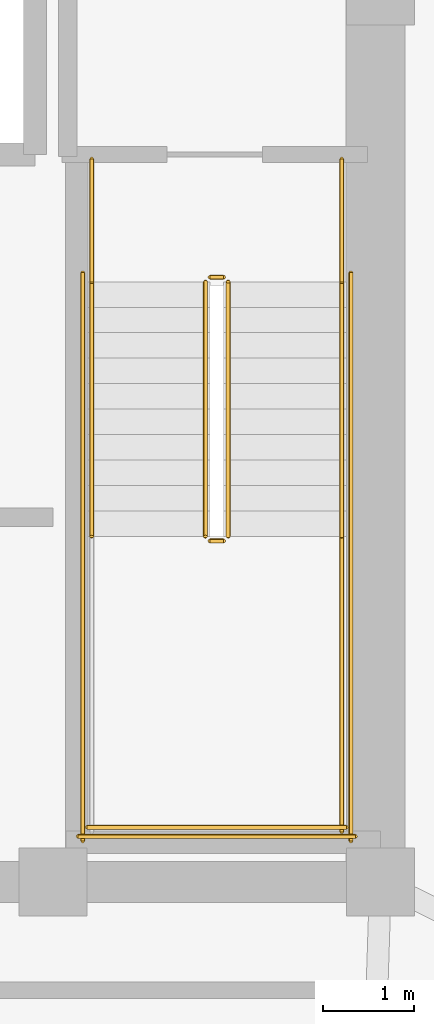
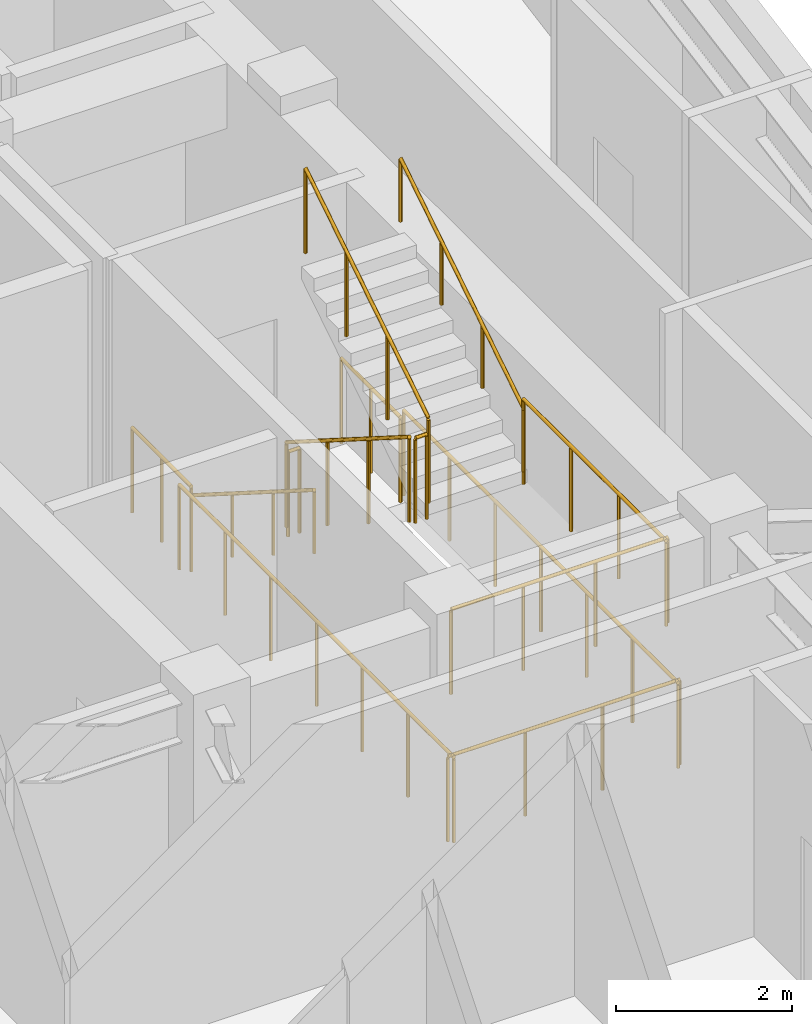
# One storey, part 11 of 11: 13 railings.
"""IFC4 building model written with IfcOpenShell, lengths in metres."""

import ifcopenshell
import ifcopenshell.guid

model = None  # the IFC model being written
_history = None  # IfcOwnerHistory: only IFC2X3 demands one
_inside = {}  # id of a spatial element -> (the spatial element, [elements in it])
_under = {}  # id of a project, library or spatial element -> (it, [spatial elements below it])
_declared = {}  # id of a project -> (the project, [libraries it declares])
_typed = {}  # id of a type object -> (the type object, [elements of that type])
_made_of = {}  # id of a material, layer set ... -> (it, [elements and type objects made of it])


def new_model(schema):
    """Start an empty IFC model of exactly this schema.

    Asked for "IFC4X3", IfcOpenShell would pick the latest addendum, in which some entities
    have other attributes; the version numbers below select the first issue.
    IFC2X3 requires an IfcOwnerHistory on every rooted entity: one is made here for all.
    """
    global model, _history
    if schema == "IFC4X3":
        model = ifcopenshell.file(schema_version=(4, 3, 0, 0))
    else:
        model = ifcopenshell.file(schema=schema)
    _inside.clear()
    _under.clear()
    _declared.clear()
    _typed.clear()
    _made_of.clear()
    _history = None
    if model.schema == "IFC2X3":
        org = make("IfcOrganization", Name="unknown")
        user = make(
            "IfcPersonAndOrganization",
            ThePerson=make("IfcPerson", FamilyName="unknown"),
            TheOrganization=org,
        )
        app = make(
            "IfcApplication",
            ApplicationDeveloper=org,
            Version="unknown",
            ApplicationFullName="unknown",
            ApplicationIdentifier="unknown",
        )
        _history = make(
            "IfcOwnerHistory",
            OwningUser=user,
            OwningApplication=app,
            ChangeAction="ADDED",
            CreationDate=0,
        )
    return model


def make(cls, **values):
    """One entity of the class cls with the attributes given. An attribute that is None is left unset."""
    return model.create_entity(
        cls, **{name: value for name, value in values.items() if value is not None}
    )


def rooted(cls, **values):
    """An entity with a GlobalId (a new one), such as an element, a storey or a relation."""
    return make(cls, GlobalId=ifcopenshell.guid.new(), OwnerHistory=_history, **values)


def si_unit(unit_type, name, prefix=None):
    """IfcSIUnit, for example si_unit("LENGTHUNIT", "METRE", prefix="MILLI")."""
    return make("IfcSIUnit", UnitType=unit_type, Prefix=prefix, Name=name)


def assignment(units):
    """IfcUnitAssignment: the units of a project."""
    return None if units is None else make("IfcUnitAssignment", Units=units)


def point(xyz):
    """IfcCartesianPoint."""
    return None if xyz is None else make("IfcCartesianPoint", Coordinates=xyz)


def direction(xyz):
    """IfcDirection."""
    return None if xyz is None else make("IfcDirection", DirectionRatios=xyz)


def frame(location, z_axis=None, x_axis=None):
    """IfcAxis2Placement3D, a coordinate frame: its origin and axes. An axis left out is left unset."""
    return make(
        "IfcAxis2Placement3D",
        Location=point(location),
        Axis=direction(z_axis),
        RefDirection=direction(x_axis),
    )


def frame_2d(location, x_axis=None):
    """IfcAxis2Placement2D, a coordinate frame in the plane: its origin and x axis."""
    return make(
        "IfcAxis2Placement2D", Location=point(location), RefDirection=direction(x_axis)
    )


def origin():
    """The frame at (0, 0, 0) with its axes left unset."""
    return frame((0.0, 0.0, 0.0))


def origin_2d():
    """The frame at (0, 0) in the plane with its x axis left unset."""
    return frame_2d((0.0, 0.0))


def place(relative_to, where):
    """IfcLocalPlacement: puts the frame where relative to a parent placement (None: the world)."""
    return make(
        "IfcLocalPlacement", PlacementRelTo=relative_to, RelativePlacement=where
    )


def context(
    kind, dimensions, precision=None, world=None, true_north=None, identifier=None
):
    """IfcGeometricRepresentationContext, for example the 3D "Model" context."""
    return make(
        "IfcGeometricRepresentationContext",
        ContextIdentifier=identifier,
        ContextType=kind,
        CoordinateSpaceDimension=dimensions,
        Precision=precision,
        WorldCoordinateSystem=world,
        TrueNorth=true_north,
    )


def subcontext(parent, identifier, kind, view, scale=None):
    """IfcGeometricRepresentationSubContext, for example "Body" below "Model"."""
    return make(
        "IfcGeometricRepresentationSubContext",
        ContextIdentifier=identifier,
        ContextType=kind,
        ParentContext=parent,
        TargetScale=scale,
        TargetView=view,
    )


def project(units=None, contexts=None):
    """IfcProject with its units and contexts."""
    return rooted(
        "IfcProject",
        Name="project",
        RepresentationContexts=contexts,
        UnitsInContext=assignment(units),
    )


def spatial(cls, under=None, at=None, **own):
    """A site, building, storey or space (cls), placed at a placement, below another one or the project."""
    s = rooted(cls, ObjectPlacement=at, **own)
    if under is not None:
        _under.setdefault(under.id(), (under, []))[1].append(s)
    return s


def profile(cls, at=None, kind="AREA", **sizes):
    """A parametric profile (cls). Its sizes go by their IFC names, for example OverallWidth=200.0."""
    return make(cls, ProfileType=kind, Position=at, **sizes)


def circle(**sizes):
    """IfcCircleProfileDef."""
    return profile("IfcCircleProfileDef", **sizes)


def extrude(swept, where, along, depth):
    """IfcExtrudedAreaSolid: the profile swept, set in the frame where, extruded along a direction by depth."""
    return make(
        "IfcExtrudedAreaSolid",
        SweptArea=swept,
        Position=where,
        ExtrudedDirection=direction(along),
        Depth=depth,
    )


def shape(context_of_items, identifier, shape_type, items):
    """IfcShapeRepresentation: the items that make up one representation, for example the "Body"."""
    return make(
        "IfcShapeRepresentation",
        ContextOfItems=context_of_items,
        RepresentationIdentifier=identifier,
        RepresentationType=shape_type,
        Items=items,
    )


def material(Name=None, Category=None):
    """IfcMaterial."""
    return make("IfcMaterial", Name=Name, Category=Category)


def made_of(thing, what):
    """Note that an element or type object is made of a material, layer set ...; save() writes the relation."""
    if what is not None:
        _made_of.setdefault(what.id(), (what, []))[1].append(thing)
    return thing


def type_object(cls, material=None, **own):
    """A type object (cls), such as IfcWallType, which elements share."""
    return made_of(rooted(cls, **own), material)


def element(
    cls,
    number,
    at=None,
    inside=None,
    cuts=None,
    type_object=None,
    material=None,
    context=None,
    identifier="Body",
    shape_type=None,
    held_by="IfcProductDefinitionShape",
    body=None,
    shapes=None,
    **own,
):
    """One element of the class cls, such as IfcWall. Its Tag is "e" and its number.

    at: its placement. inside: the storey or other place that contains it. cuts: it is an
    opening in that element (IfcRelVoidsElement). A single representation is given by context,
    identifier, shape_type and body (its items); several are given by shapes. held_by: the class
    of the entity that holds the representations. save() writes the other relations.
    """
    e = rooted(cls, Tag="e%d" % number, ObjectPlacement=at, **own)
    if body is not None:
        shapes = [shape(context, identifier, shape_type, body)]
    if shapes is not None:
        e.Representation = make(held_by, Representations=shapes)
    if inside is not None:
        _inside.setdefault(inside.id(), (inside, []))[1].append(e)
    if cuts is not None:
        rooted(
            "IfcRelVoidsElement", RelatingBuildingElement=cuts, RelatedOpeningElement=e
        )
    if type_object is not None:
        _typed.setdefault(type_object.id(), (type_object, []))[1].append(e)
    return made_of(e, material)


def aggregate(whole, parts):
    """IfcRelAggregates: a whole, such as a stair, and the parts it consists of."""
    return rooted("IfcRelAggregates", RelatingObject=whole, RelatedObjects=parts)


def save(model, path):
    """Write the relations noted so far, then the file.

    IfcRelAggregates (storeys below a building ...), IfcRelContainedInSpatialStructure (elements
    in a storey), IfcRelDefinesByType, IfcRelAssociatesMaterial and IfcRelDeclares: one each for
    every whole, place, type object, material and project.
    """
    for whole, parts in _under.values():
        aggregate(whole, parts)
    for where, things in _inside.values():
        rooted(
            "IfcRelContainedInSpatialStructure",
            RelatedElements=things,
            RelatingStructure=where,
        )
    for kind, things in _typed.values():
        rooted("IfcRelDefinesByType", RelatedObjects=things, RelatingType=kind)
    for what, things in _made_of.values():
        rooted("IfcRelAssociatesMaterial", RelatedObjects=things, RelatingMaterial=what)
    for by, libraries in _declared.values():
        rooted("IfcRelDeclares", RelatingContext=by, RelatedDefinitions=libraries)
    model.write(path)


model = new_model("IFC4")

# Units and contexts
model_context = context("Model", 3, precision=1e-05, world=origin(), true_north=direction((0.0, 1.0)))
body_context = subcontext(model_context, "Body", "Model", "MODEL_VIEW")
ifc_project = project(units=[si_unit("LENGTHUNIT", "METRE"), si_unit("AREAUNIT", "SQUARE_METRE"), si_unit("VOLUMEUNIT", "CUBIC_METRE"), si_unit("PLANEANGLEUNIT", "RADIAN"), si_unit("MASSUNIT", "GRAM", prefix="KILO")], contexts=[model_context])

# Site, building, storey
site_placement = place(None, origin())
site = spatial("IfcSite", under=ifc_project, at=site_placement, CompositionType="ELEMENT")
building_placement = place(site_placement, origin())
building = spatial("IfcBuilding", under=site, at=building_placement, Name="Voryun Gate Residences", CompositionType="ELEMENT")
storey_placement = place(building_placement, frame((0.0, 0.0, 295.10009765625)))
storey = spatial("IfcBuildingStorey", under=building, at=storey_placement, Name="L73", CompositionType="ELEMENT", Elevation=295.10009765625)

# Railings
ifc_material_1 = material(Name="Painted steel", Category="steel")
railing_type_1 = type_object("IfcRailingType", Name="RAIL_STAIR_GUARD_1200", PredefinedType="GUARDRAIL", material=ifc_material_1)
railing_1_placement = place(storey_placement, frame((17.27490234375, -0.800048828125, 0.17724609375)))
element("IfcRailing", 1, at=railing_1_placement, inside=storey, type_object=railing_type_1, Name="L73 ST-E1 stair guard 1", PredefinedType="GUARDRAIL", context=body_context, shape_type="SweptSolid", body=[
    extrude(circle(Radius=0.02392578125, at=origin_2d()), frame((0.0, 0.0, 1.17578125), z_axis=(0.0, -0.844908973607, 0.534910110503), x_axis=(1.0, 0.0, 0.0)), (0.0, 0.0, 1.0), 3.31396484375),
    extrude(circle(Radius=0.02099609375, at=origin_2d()), origin(), (0.0, 0.0, 1.0), 1.15185546875),
    extrude(circle(Radius=0.02099609375, at=origin_2d()), frame((0.0, -0.933349609375, 0.5908203125)), (0.0, 0.0, 1.0), 1.15185546875),
    extrude(circle(Radius=0.02099609375, at=origin_2d()), frame((0.0, -1.86669921875, 1.181884765625)), (0.0, 0.0, 1.0), 1.15185546875),
    extrude(circle(Radius=0.02099609375, at=origin_2d()), frame((0.0, -2.800048828125, 1.772705078125)), (0.0, 0.0, 1.0), 1.15185546875),
])
railing_2_placement = place(storey_placement, frame((17.324951171875, -3.64990234375, 1.949951171875)))
element("IfcRailing", 2, at=railing_2_placement, inside=storey, type_object=railing_type_1, Name="L73 ST-E1 stair guard 2", PredefinedType="GUARDRAIL", context=body_context, shape_type="SweptSolid", body=[
    extrude(circle(Radius=0.02392578125, at=origin_2d()), frame((0.0, 0.0, 1.17578125), z_axis=(1.0, 0.0, 0.0), x_axis=(0.0, 1.0, 0.0)), (0.0, 0.0, 1.0), 0.150146484375),
    extrude(circle(Radius=0.02099609375, at=origin_2d()), origin(), (0.0, 0.0, 1.0), 1.15185546875),
    extrude(circle(Radius=0.02099609375, at=origin_2d()), frame((0.150146484375, 0.0, 0.0)), (0.0, 0.0, 1.0), 1.15185546875),
])
railing_3_placement = place(storey_placement, frame((18.77490234375, -3.60009765625, 1.949951171875)))
element("IfcRailing", 3, at=railing_3_placement, inside=storey, type_object=railing_type_1, Name="L73 ST-E1 stair guard 4", PredefinedType="GUARDRAIL", context=body_context, shape_type="SweptSolid", body=[
    extrude(circle(Radius=0.02392578125, at=origin_2d()), frame((0.0, 0.0, 1.17578125), z_axis=(0.0, -1.0, 0.0), x_axis=(1.0, 0.0, 0.0)), (0.0, 0.0, 1.0), 3.25),
    extrude(circle(Radius=0.02099609375, at=origin_2d()), origin(), (0.0, 0.0, 1.0), 1.15185546875),
    extrude(circle(Radius=0.02099609375, at=origin_2d()), frame((0.0, -1.083251953125, 0.0)), (0.0, 0.0, 1.0), 1.15185546875),
    extrude(circle(Radius=0.02099609375, at=origin_2d()), frame((0.0, -2.166748046875, 0.0)), (0.0, 0.0, 1.0), 1.15185546875),
    extrude(circle(Radius=0.02099609375, at=origin_2d()), frame((0.0, -3.25, 0.0)), (0.0, 0.0, 1.0), 1.15185546875),
])
railing_4_placement = place(storey_placement, frame((15.97509765625, -6.800048828125, 1.949951171875)))
element("IfcRailing", 4, at=railing_4_placement, inside=storey, type_object=railing_type_1, Name="L73 ST-E1 stair guard 5", PredefinedType="GUARDRAIL", context=body_context, shape_type="SweptSolid", body=[
    extrude(circle(Radius=0.02392578125, at=origin_2d()), frame((0.0, 0.0, 1.17578125), z_axis=(1.0, 0.0, 0.0), x_axis=(0.0, 1.0, 0.0)), (0.0, 0.0, 1.0), 2.849853515625),
    extrude(circle(Radius=0.02099609375, at=origin_2d()), origin(), (0.0, 0.0, 1.0), 1.15185546875),
    extrude(circle(Radius=0.02099609375, at=origin_2d()), frame((0.949951171875, 0.0, 0.0)), (0.0, 0.0, 1.0), 1.15185546875),
    extrude(circle(Radius=0.02099609375, at=origin_2d()), frame((1.89990234375, 0.0, 0.0)), (0.0, 0.0, 1.0), 1.15185546875),
    extrude(circle(Radius=0.02099609375, at=origin_2d()), frame((2.849853515625, 0.0, 0.0)), (0.0, 0.0, 1.0), 1.15185546875),
])
railing_5_placement = place(storey_placement, frame((17.52490234375, -3.60009765625, 2.127197265625)))
element("IfcRailing", 5, at=railing_5_placement, inside=storey, type_object=railing_type_1, Name="L73 ST-E1 stair guard 6", PredefinedType="GUARDRAIL", context=body_context, shape_type="SweptSolid", body=[
    extrude(circle(Radius=0.02392578125, at=origin_2d()), frame((0.0, 0.0, 1.17578125), z_axis=(0.0, 0.844908973607, 0.534910110503), x_axis=(-1.0, 0.0, 0.0)), (0.0, 0.0, 1.0), 3.31396484375),
    extrude(circle(Radius=0.02099609375, at=origin_2d()), origin(), (0.0, 0.0, 1.0), 1.15185546875),
    extrude(circle(Radius=0.02099609375, at=origin_2d()), frame((0.0, 0.933349609375, 0.5908203125)), (0.0, 0.0, 1.0), 1.15185546875),
    extrude(circle(Radius=0.02099609375, at=origin_2d()), frame((0.0, 1.86669921875, 1.181884765625)), (0.0, 0.0, 1.0), 1.15185546875),
    extrude(circle(Radius=0.02099609375, at=origin_2d()), frame((0.0, 2.800048828125, 1.772705078125)), (0.0, 0.0, 1.0), 1.15185546875),
])
railing_6_placement = place(storey_placement, frame((17.324951171875, -0.75, 0.0)))
element("IfcRailing", 6, at=railing_6_placement, inside=storey, type_object=railing_type_1, Name="L73 ST-E1 stair guard 7", PredefinedType="GUARDRAIL", context=body_context, shape_type="SweptSolid", body=[
    extrude(circle(Radius=0.02392578125, at=origin_2d()), frame((0.0, 0.0, 1.17578125), z_axis=(1.0, 0.0, 0.0), x_axis=(0.0, 1.0, 0.0)), (0.0, 0.0, 1.0), 0.150146484375),
    extrude(circle(Radius=0.02099609375, at=origin_2d()), origin(), (0.0, 0.0, 1.0), 1.15185546875),
    extrude(circle(Radius=0.02099609375, at=origin_2d()), frame((0.150146484375, 0.0, 0.0)), (0.0, 0.0, 1.0), 1.15185546875),
])
for number, where, name in (
    (7, (16.02490234375, 0.550048828125, 0.0), "L73 ST-E1 stair guard 8"),
    (8, (18.77490234375, 0.550048828125, 0.0), "L73 ST-E1 stair guard 9"),
):
    element("IfcRailing", number, at=place(storey_placement, frame(where)), inside=storey, type_object=railing_type_1, Name=name, PredefinedType="GUARDRAIL", context=body_context, shape_type="SweptSolid", body=[
        extrude(circle(Radius=0.02392578125, at=origin_2d()), frame((0.0, 0.0, 1.17578125), z_axis=(0.0, -1.0, 0.0), x_axis=(1.0, 0.0, 0.0)), (0.0, 0.0, 1.0), 1.35009765625),
        extrude(circle(Radius=0.02099609375, at=origin_2d()), origin(), (0.0, 0.0, 1.0), 1.15185546875),
        extrude(circle(Radius=0.02099609375, at=origin_2d()), frame((0.0, -0.675048828125, 0.0)), (0.0, 0.0, 1.0), 1.15185546875),
        extrude(circle(Radius=0.02099609375, at=origin_2d()), frame((0.0, -1.35009765625, 0.0)), (0.0, 0.0, 1.0), 1.15185546875),
    ])
for number, where, name in (
    (9, (15.925048828125, -0.699951171875, 0.0), "L73 ST-E1 stair guard 10"),
    (10, (18.875, -0.699951171875, 0.0), "L73 ST-E1 stair guard 11"),
):
    element("IfcRailing", number, at=place(storey_placement, frame(where)), inside=storey, type_object=railing_type_1, Name=name, PredefinedType="GUARDRAIL", context=body_context, shape_type="SweptSolid", body=[
        extrude(circle(Radius=0.02392578125, at=origin_2d()), frame((0.0, 0.0, 1.17578125), z_axis=(0.0, -1.0, 0.0), x_axis=(1.0, 0.0, 0.0)), (0.0, 0.0, 1.0), 6.25),
        extrude(circle(Radius=0.02099609375, at=origin_2d()), origin(), (0.0, 0.0, 1.0), 1.15185546875),
        extrude(circle(Radius=0.02099609375, at=origin_2d()), frame((0.0, -1.041748046875, 0.0)), (0.0, 0.0, 1.0), 1.15185546875),
        extrude(circle(Radius=0.02099609375, at=origin_2d()), frame((0.0, -2.083251953125, 0.0)), (0.0, 0.0, 1.0), 1.15185546875),
        extrude(circle(Radius=0.02099609375, at=origin_2d()), frame((0.0, -3.125, 0.0)), (0.0, 0.0, 1.0), 1.15185546875),
        extrude(circle(Radius=0.02099609375, at=origin_2d()), frame((0.0, -4.166748046875, 0.0)), (0.0, 0.0, 1.0), 1.15185546875),
        extrude(circle(Radius=0.02099609375, at=origin_2d()), frame((0.0, -5.208251953125, 0.0)), (0.0, 0.0, 1.0), 1.15185546875),
        extrude(circle(Radius=0.02099609375, at=origin_2d()), frame((0.0, -6.25, 0.0)), (0.0, 0.0, 1.0), 1.15185546875),
    ])
railing_7_placement = place(storey_placement, frame((15.875, -6.89990234375, 0.0)))
element("IfcRailing", 11, at=railing_7_placement, inside=storey, type_object=railing_type_1, Name="L73 ST-E1 stair guard 12", PredefinedType="GUARDRAIL", context=body_context, shape_type="SweptSolid", body=[
    extrude(circle(Radius=0.02392578125, at=origin_2d()), frame((0.0, 0.0, 1.17578125), z_axis=(1.0, 0.0, 0.0), x_axis=(0.0, 1.0, 0.0)), (0.0, 0.0, 1.0), 3.050048828125),
    extrude(circle(Radius=0.02099609375, at=origin_2d()), origin(), (0.0, 0.0, 1.0), 1.15185546875),
    extrude(circle(Radius=0.02099609375, at=origin_2d()), frame((1.0166015625, 0.0, 0.0)), (0.0, 0.0, 1.0), 1.15185546875),
    extrude(circle(Radius=0.02099609375, at=origin_2d()), frame((2.033447265625, 0.0, 0.0)), (0.0, 0.0, 1.0), 1.15185546875),
    extrude(circle(Radius=0.02099609375, at=origin_2d()), frame((3.050048828125, 0.0, 0.0)), (0.0, 0.0, 1.0), 1.15185546875),
])
ifc_material_2 = material(Name="Painted steel", Category="steel")
railing_type_2 = type_object("IfcRailingType", Name="RAIL_STAIR_HANDRAIL_900", PredefinedType="HANDRAIL", material=ifc_material_2)
railing_8_placement = place(storey_placement, frame((16.02490234375, -0.800048828125, 0.17724609375)))
element("IfcRailing", 12, at=railing_8_placement, inside=storey, type_object=railing_type_2, Name="L73 ST-E1 stair handrail 1", PredefinedType="HANDRAIL", context=body_context, shape_type="SweptSolid", body=[
    extrude(circle(Radius=0.02392578125, at=origin_2d()), frame((0.0, 0.0, 0.8759765625), z_axis=(0.0, -0.844908973607, 0.534910110503), x_axis=(1.0, 0.0, 0.0)), (0.0, 0.0, 1.0), 3.31396484375),
    extrude(circle(Radius=0.02099609375, at=origin_2d()), origin(), (0.0, 0.0, 1.0), 0.851806640625),
    extrude(circle(Radius=0.02099609375, at=origin_2d()), frame((0.0, -0.933349609375, 0.5908203125)), (0.0, 0.0, 1.0), 0.851806640625),
    extrude(circle(Radius=0.02099609375, at=origin_2d()), frame((0.0, -1.86669921875, 1.181884765625)), (0.0, 0.0, 1.0), 0.851806640625),
    extrude(circle(Radius=0.02099609375, at=origin_2d()), frame((0.0, -2.800048828125, 1.772705078125)), (0.0, 0.0, 1.0), 0.851806640625),
])
railing_9_placement = place(storey_placement, frame((18.77490234375, -3.60009765625, 2.127197265625)))
element("IfcRailing", 13, at=railing_9_placement, inside=storey, type_object=railing_type_2, Name="L73 ST-E1 stair handrail 2", PredefinedType="HANDRAIL", context=body_context, shape_type="SweptSolid", body=[
    extrude(circle(Radius=0.02392578125, at=origin_2d()), frame((0.0, 0.0, 0.8759765625), z_axis=(0.0, 0.844908973607, 0.534910110503), x_axis=(-1.0, 0.0, 0.0)), (0.0, 0.0, 1.0), 3.31396484375),
    extrude(circle(Radius=0.02099609375, at=origin_2d()), origin(), (0.0, 0.0, 1.0), 0.851806640625),
    extrude(circle(Radius=0.02099609375, at=origin_2d()), frame((0.0, 0.933349609375, 0.5908203125)), (0.0, 0.0, 1.0), 0.851806640625),
    extrude(circle(Radius=0.02099609375, at=origin_2d()), frame((0.0, 1.86669921875, 1.181884765625)), (0.0, 0.0, 1.0), 0.851806640625),
    extrude(circle(Radius=0.02099609375, at=origin_2d()), frame((0.0, 2.800048828125, 1.772705078125)), (0.0, 0.0, 1.0), 0.851806640625),
])

save(model, "model.ifc")
